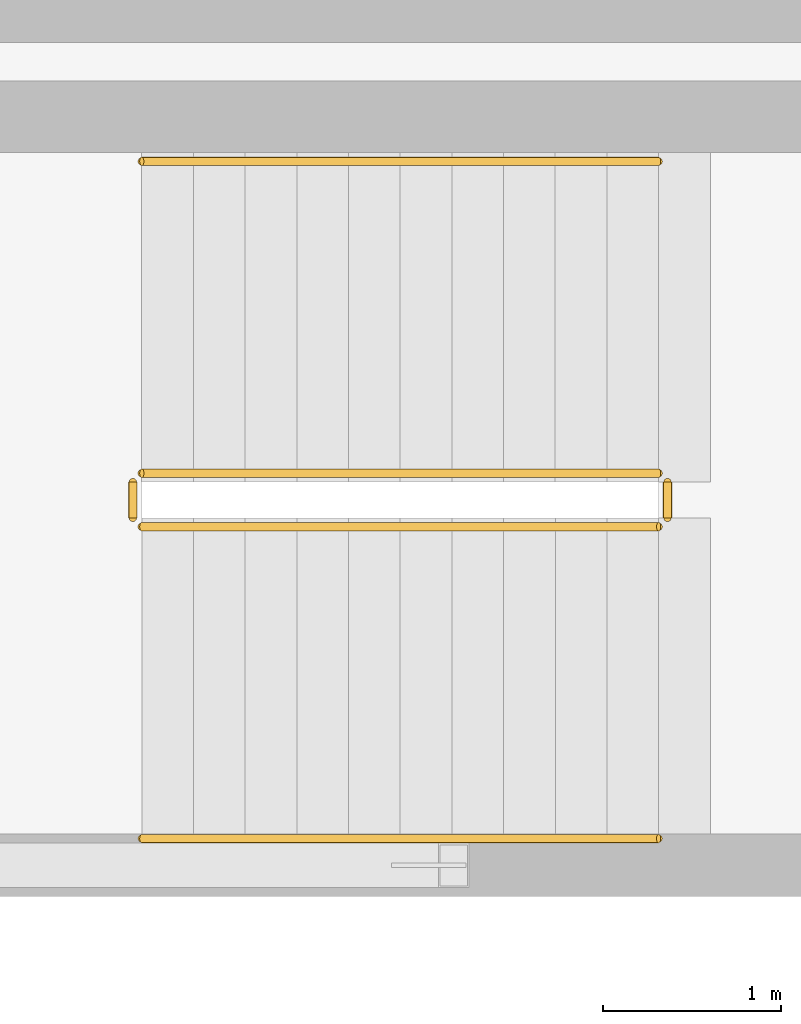
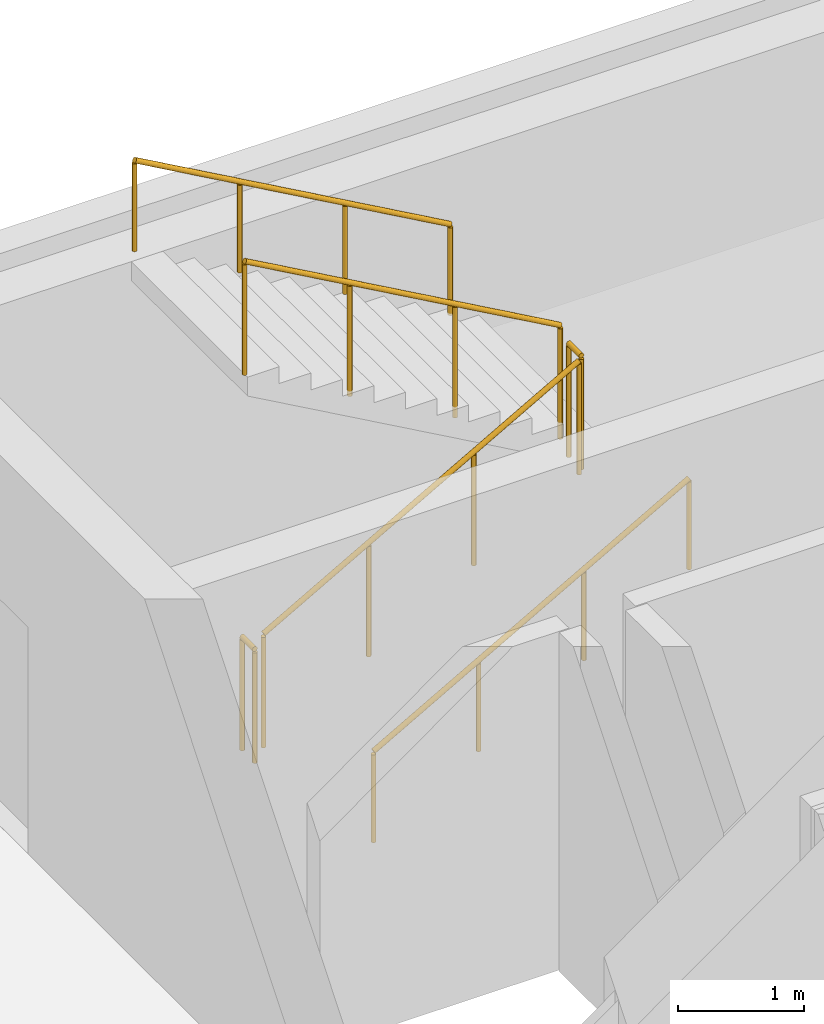
# One storey, part 25 of 27: 6 railings.
"""IFC4 building model written with IfcOpenShell, lengths in metres."""

from ifc_helpers import new_model, si_unit, direction, frame, origin, origin_2d, place, context, subcontext, project, spatial, circle, extrude, material, type_object, element, save


model = new_model("IFC4")

# Units and contexts
model_context = context("Model", 3, precision=1e-05, world=origin(), true_north=direction((0.0, 1.0)))
body_context = subcontext(model_context, "Body", "Model", "MODEL_VIEW")
ifc_project = project(units=[si_unit("LENGTHUNIT", "METRE"), si_unit("AREAUNIT", "SQUARE_METRE"), si_unit("VOLUMEUNIT", "CUBIC_METRE"), si_unit("PLANEANGLEUNIT", "RADIAN"), si_unit("MASSUNIT", "GRAM", prefix="KILO")], contexts=[model_context])

# Site, building, storey
site_placement = place(None, origin())
site = spatial("IfcSite", under=ifc_project, at=site_placement, CompositionType="ELEMENT")
building_placement = place(site_placement, origin())
building = spatial("IfcBuilding", under=site, at=building_placement, Name="Sollismere Congress Hotel", CompositionType="ELEMENT")
storey_placement = place(building_placement, frame((0.0, 0.0, 27.0)))
storey = spatial("IfcBuildingStorey", under=building, at=storey_placement, Name="L06", CompositionType="ELEMENT", Elevation=27.0)

# Railings
ifc_material_1 = material(Name="Steel ASTM A500 Grade C", Category="steel")
railing_type_1 = type_object("IfcRailingType", Name="RL-GRD112", PredefinedType="GUARDRAIL", material=ifc_material_1)
railing_1_placement = place(storey_placement, frame((95.85009765625, 16.25, 0.16357421875)))
element("IfcRailing", 1, at=railing_1_placement, inside=storey, type_object=railing_type_1, Name="RLG-RG-ST-02-L06-1", PredefinedType="GUARDRAIL", context=body_context, shape_type="SweptSolid", body=[
    extrude(circle(Radius=0.02392578125, at=origin_2d()), frame((0.0, 0.0, 1.09619140625), z_axis=(0.870897200241, 0.0, 0.491465224214), x_axis=(0.0, 1.0, 0.0)), (0.0, 0.0, 1.0), 3.329833984375),
    extrude(circle(Radius=0.02099609375, at=origin_2d()), origin(), (0.0, 0.0, 1.0), 1.072021484375),
    extrude(circle(Radius=0.02099609375, at=origin_2d()), frame((0.966552734375, 0.0, 0.54541015625)), (0.0, 0.0, 1.0), 1.072021484375),
    extrude(circle(Radius=0.02099609375, at=origin_2d()), frame((1.933349609375, 0.0, 1.091064453125)), (0.0, 0.0, 1.0), 1.072021484375),
    extrude(circle(Radius=0.02099609375, at=origin_2d()), frame((2.89990234375, 0.0, 1.636474609375)), (0.0, 0.0, 1.0), 1.072021484375),
])
railing_2_placement = place(storey_placement, frame((98.800048828125, 16.300048828125, 1.800048828125)))
element("IfcRailing", 2, at=railing_2_placement, inside=storey, type_object=railing_type_1, Name="RLG-RG-ST-02-L06-2", PredefinedType="GUARDRAIL", context=body_context, shape_type="SweptSolid", body=[
    extrude(circle(Radius=0.02392578125, at=origin_2d()), frame((0.0, 0.0, 1.09619140625), z_axis=(0.0, 1.0, 0.0), x_axis=(-1.0, 0.0, 0.0)), (0.0, 0.0, 1.0), 0.199951171875),
    extrude(circle(Radius=0.02099609375, at=origin_2d()), origin(), (0.0, 0.0, 1.0), 1.072021484375),
    extrude(circle(Radius=0.02099609375, at=origin_2d()), frame((0.0, 0.199951171875, 0.0)), (0.0, 0.0, 1.0), 1.072021484375),
])
railing_3_placement = place(storey_placement, frame((98.75, 16.550048828125, 1.963623046875)))
element("IfcRailing", 3, at=railing_3_placement, inside=storey, type_object=railing_type_1, Name="RLG-RG-ST-02-L06-3", PredefinedType="GUARDRAIL", context=body_context, shape_type="SweptSolid", body=[
    extrude(circle(Radius=0.02392578125, at=origin_2d()), frame((0.0, 0.0, 1.09619140625), z_axis=(-0.870897200241, 0.0, 0.491465224214), x_axis=(0.0, -1.0, 0.0)), (0.0, 0.0, 1.0), 3.329833984375),
    extrude(circle(Radius=0.02099609375, at=origin_2d()), origin(), (0.0, 0.0, 1.0), 1.072021484375),
    extrude(circle(Radius=0.02099609375, at=origin_2d()), frame((-0.966552734375, 0.0, 0.54541015625)), (0.0, 0.0, 1.0), 1.072021484375),
    extrude(circle(Radius=0.02099609375, at=origin_2d()), frame((-1.933349609375, 0.0, 1.091064453125)), (0.0, 0.0, 1.0), 1.072021484375),
    extrude(circle(Radius=0.02099609375, at=origin_2d()), frame((-2.89990234375, 0.0, 1.636474609375)), (0.0, 0.0, 1.0), 1.072021484375),
])
railing_4_placement = place(storey_placement, frame((95.800048828125, 16.300048828125, 0.0)))
element("IfcRailing", 4, at=railing_4_placement, inside=storey, type_object=railing_type_1, Name="RLG-RG-ST-02-L06-4", PredefinedType="GUARDRAIL", context=body_context, shape_type="SweptSolid", body=[
    extrude(circle(Radius=0.02392578125, at=origin_2d()), frame((0.0, 0.0, 1.09619140625), z_axis=(0.0, 1.0, 0.0), x_axis=(-1.0, 0.0, 0.0)), (0.0, 0.0, 1.0), 0.199951171875),
    extrude(circle(Radius=0.02099609375, at=origin_2d()), origin(), (0.0, 0.0, 1.0), 1.072021484375),
    extrude(circle(Radius=0.02099609375, at=origin_2d()), frame((0.0, 0.199951171875, 0.0)), (0.0, 0.0, 1.0), 1.072021484375),
])
ifc_material_2 = material(Name="Brushed Architectural Bronze")
railing_type_2 = type_object("IfcRailingType", Name="RL-HND90", PredefinedType="HANDRAIL", material=ifc_material_2)
railing_5_placement = place(storey_placement, frame((95.85009765625, 14.5, 0.30322265625)))
element("IfcRailing", 5, at=railing_5_placement, inside=storey, type_object=railing_type_2, Name="RLG-RH-ST-02-L06-1", PredefinedType="HANDRAIL", context=body_context, shape_type="SweptSolid", body=[
    extrude(circle(Radius=0.02392578125, at=origin_2d()), frame((0.0, 0.0, 0.8759765625), z_axis=(0.870897200241, 0.0, 0.491465224214), x_axis=(0.0, 1.0, 0.0)), (0.0, 0.0, 1.0), 3.329833984375),
    extrude(circle(Radius=0.02099609375, at=origin_2d()), origin(), (0.0, 0.0, 1.0), 0.851806640625),
    extrude(circle(Radius=0.02099609375, at=origin_2d()), frame((0.966552734375, 0.0, 0.54541015625)), (0.0, 0.0, 1.0), 0.851806640625),
    extrude(circle(Radius=0.02099609375, at=origin_2d()), frame((1.933349609375, 0.0, 1.091064453125)), (0.0, 0.0, 1.0), 0.851806640625),
    extrude(circle(Radius=0.02099609375, at=origin_2d()), frame((2.89990234375, 0.0, 1.636474609375)), (0.0, 0.0, 1.0), 0.851806640625),
])
railing_6_placement = place(storey_placement, frame((98.75, 18.300048828125, 2.103271484375)))
element("IfcRailing", 6, at=railing_6_placement, inside=storey, type_object=railing_type_2, Name="RLG-RH-ST-02-L06-2", PredefinedType="HANDRAIL", context=body_context, shape_type="SweptSolid", body=[
    extrude(circle(Radius=0.02392578125, at=origin_2d()), frame((0.0, 0.0, 0.8759765625), z_axis=(-0.870897200241, 0.0, 0.491465224214), x_axis=(0.0, -1.0, 0.0)), (0.0, 0.0, 1.0), 3.329833984375),
    extrude(circle(Radius=0.02099609375, at=origin_2d()), origin(), (0.0, 0.0, 1.0), 0.851806640625),
    extrude(circle(Radius=0.02099609375, at=origin_2d()), frame((-0.966552734375, 0.0, 0.54541015625)), (0.0, 0.0, 1.0), 0.851806640625),
    extrude(circle(Radius=0.02099609375, at=origin_2d()), frame((-1.933349609375, 0.0, 1.091064453125)), (0.0, 0.0, 1.0), 0.851806640625),
    extrude(circle(Radius=0.02099609375, at=origin_2d()), frame((-2.89990234375, 0.0, 1.636474609375)), (0.0, 0.0, 1.0), 0.851806640625),
])

save(model, "model.ifc")
